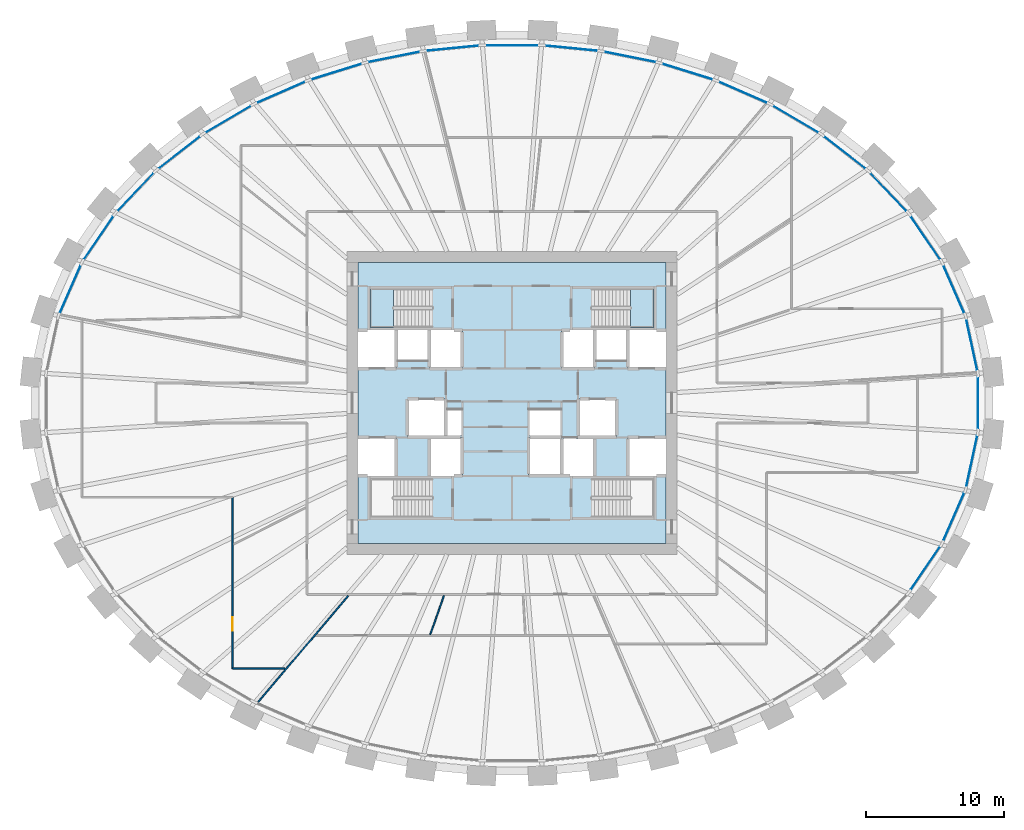
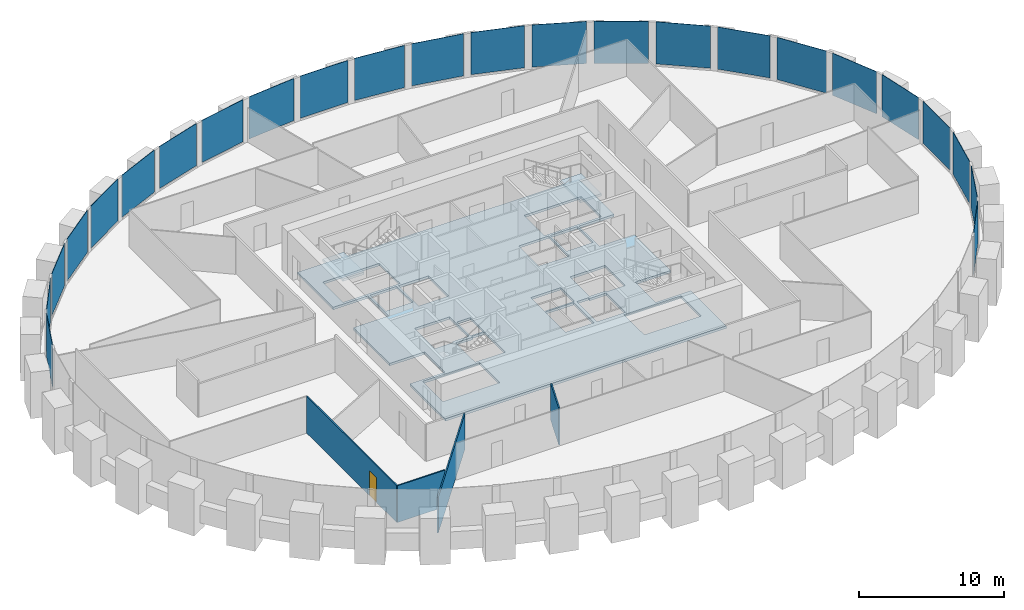
# One storey, part 5 of 11: 24 plates, 4 walls, 3 slabs, 1 door, 1 opening, 3 elements without a shape of their own.
"""IFC4 building model written with IfcOpenShell, lengths in metres."""

import ifcopenshell
import ifcopenshell.guid

model = None  # the IFC model being written
_history = None  # IfcOwnerHistory: only IFC2X3 demands one
_inside = {}  # id of a spatial element -> (the spatial element, [elements in it])
_under = {}  # id of a project, library or spatial element -> (it, [spatial elements below it])
_declared = {}  # id of a project -> (the project, [libraries it declares])
_typed = {}  # id of a type object -> (the type object, [elements of that type])
_made_of = {}  # id of a material, layer set ... -> (it, [elements and type objects made of it])


def new_model(schema):
    """Start an empty IFC model of exactly this schema.

    Asked for "IFC4X3", IfcOpenShell would pick the latest addendum, in which some entities
    have other attributes; the version numbers below select the first issue.
    IFC2X3 requires an IfcOwnerHistory on every rooted entity: one is made here for all.
    """
    global model, _history
    if schema == "IFC4X3":
        model = ifcopenshell.file(schema_version=(4, 3, 0, 0))
    else:
        model = ifcopenshell.file(schema=schema)
    _inside.clear()
    _under.clear()
    _declared.clear()
    _typed.clear()
    _made_of.clear()
    _history = None
    if model.schema == "IFC2X3":
        org = make("IfcOrganization", Name="unknown")
        user = make(
            "IfcPersonAndOrganization",
            ThePerson=make("IfcPerson", FamilyName="unknown"),
            TheOrganization=org,
        )
        app = make(
            "IfcApplication",
            ApplicationDeveloper=org,
            Version="unknown",
            ApplicationFullName="unknown",
            ApplicationIdentifier="unknown",
        )
        _history = make(
            "IfcOwnerHistory",
            OwningUser=user,
            OwningApplication=app,
            ChangeAction="ADDED",
            CreationDate=0,
        )
    return model


def make(cls, **values):
    """One entity of the class cls with the attributes given. An attribute that is None is left unset."""
    return model.create_entity(
        cls, **{name: value for name, value in values.items() if value is not None}
    )


def rooted(cls, **values):
    """An entity with a GlobalId (a new one), such as an element, a storey or a relation."""
    return make(cls, GlobalId=ifcopenshell.guid.new(), OwnerHistory=_history, **values)


def si_unit(unit_type, name, prefix=None):
    """IfcSIUnit, for example si_unit("LENGTHUNIT", "METRE", prefix="MILLI")."""
    return make("IfcSIUnit", UnitType=unit_type, Prefix=prefix, Name=name)


def assignment(units):
    """IfcUnitAssignment: the units of a project."""
    return None if units is None else make("IfcUnitAssignment", Units=units)


def point(xyz):
    """IfcCartesianPoint."""
    return None if xyz is None else make("IfcCartesianPoint", Coordinates=xyz)


def direction(xyz):
    """IfcDirection."""
    return None if xyz is None else make("IfcDirection", DirectionRatios=xyz)


def frame(location, z_axis=None, x_axis=None):
    """IfcAxis2Placement3D, a coordinate frame: its origin and axes. An axis left out is left unset."""
    return make(
        "IfcAxis2Placement3D",
        Location=point(location),
        Axis=direction(z_axis),
        RefDirection=direction(x_axis),
    )


def frame_2d(location, x_axis=None):
    """IfcAxis2Placement2D, a coordinate frame in the plane: its origin and x axis."""
    return make(
        "IfcAxis2Placement2D", Location=point(location), RefDirection=direction(x_axis)
    )


def origin():
    """The frame at (0, 0, 0) with its axes left unset."""
    return frame((0.0, 0.0, 0.0))


def origin_2d():
    """The frame at (0, 0) in the plane with its x axis left unset."""
    return frame_2d((0.0, 0.0))


def place(relative_to, where):
    """IfcLocalPlacement: puts the frame where relative to a parent placement (None: the world)."""
    return make(
        "IfcLocalPlacement", PlacementRelTo=relative_to, RelativePlacement=where
    )


def context(
    kind, dimensions, precision=None, world=None, true_north=None, identifier=None
):
    """IfcGeometricRepresentationContext, for example the 3D "Model" context."""
    return make(
        "IfcGeometricRepresentationContext",
        ContextIdentifier=identifier,
        ContextType=kind,
        CoordinateSpaceDimension=dimensions,
        Precision=precision,
        WorldCoordinateSystem=world,
        TrueNorth=true_north,
    )


def subcontext(parent, identifier, kind, view, scale=None):
    """IfcGeometricRepresentationSubContext, for example "Body" below "Model"."""
    return make(
        "IfcGeometricRepresentationSubContext",
        ContextIdentifier=identifier,
        ContextType=kind,
        ParentContext=parent,
        TargetScale=scale,
        TargetView=view,
    )


def project(units=None, contexts=None):
    """IfcProject with its units and contexts."""
    return rooted(
        "IfcProject",
        Name="project",
        RepresentationContexts=contexts,
        UnitsInContext=assignment(units),
    )


def spatial(cls, under=None, at=None, **own):
    """A site, building, storey or space (cls), placed at a placement, below another one or the project."""
    s = rooted(cls, ObjectPlacement=at, **own)
    if under is not None:
        _under.setdefault(under.id(), (under, []))[1].append(s)
    return s


def polyline(points):
    """IfcPolyline through the points."""
    return make("IfcPolyline", Points=[point(p) for p in points])


def profile(cls, at=None, kind="AREA", **sizes):
    """A parametric profile (cls). Its sizes go by their IFC names, for example OverallWidth=200.0."""
    return make(cls, ProfileType=kind, Position=at, **sizes)


def rectangle(**sizes):
    """IfcRectangleProfileDef."""
    return profile("IfcRectangleProfileDef", **sizes)


def outline(outer, holes=None, kind="AREA"):
    """IfcArbitraryClosedProfileDef: a profile drawn as a closed curve; with holes, ...WithVoids."""
    if holes is None:
        return make("IfcArbitraryClosedProfileDef", ProfileType=kind, OuterCurve=outer)
    return make(
        "IfcArbitraryProfileDefWithVoids",
        ProfileType=kind,
        OuterCurve=outer,
        InnerCurves=holes,
    )


def extrude(swept, where, along, depth):
    """IfcExtrudedAreaSolid: the profile swept, set in the frame where, extruded along a direction by depth."""
    return make(
        "IfcExtrudedAreaSolid",
        SweptArea=swept,
        Position=where,
        ExtrudedDirection=direction(along),
        Depth=depth,
    )


def shape(context_of_items, identifier, shape_type, items):
    """IfcShapeRepresentation: the items that make up one representation, for example the "Body"."""
    return make(
        "IfcShapeRepresentation",
        ContextOfItems=context_of_items,
        RepresentationIdentifier=identifier,
        RepresentationType=shape_type,
        Items=items,
    )


def source(mapping_origin, context_of_items, identifier, shape_type, items):
    """IfcRepresentationMap: a shape defined once, which mapped items show again and again."""
    return make(
        "IfcRepresentationMap",
        MappingOrigin=mapping_origin,
        MappedRepresentation=shape(context_of_items, identifier, shape_type, items),
    )


def transform(
    local_origin,
    x_axis=None,
    y_axis=None,
    z_axis=None,
    scale=None,
    scale2=None,
    scale3=None,
    uniform=True,
):
    """IfcCartesianTransformationOperator3D, or its non-uniform kind. x_axis, y_axis, z_axis: its Axis1, 2, 3."""
    if uniform:
        return make(
            "IfcCartesianTransformationOperator3D",
            Axis1=direction(x_axis),
            Axis2=direction(y_axis),
            LocalOrigin=point(local_origin),
            Scale=scale,
            Axis3=direction(z_axis),
        )
    return make(
        "IfcCartesianTransformationOperator3DnonUniform",
        Axis1=direction(x_axis),
        Axis2=direction(y_axis),
        LocalOrigin=point(local_origin),
        Scale=scale,
        Axis3=direction(z_axis),
        Scale2=scale2,
        Scale3=scale3,
    )


def mapped(mapping_source, mapping_target):
    """IfcMappedItem: shows the shape of a source again, moved by a transform."""
    return make(
        "IfcMappedItem", MappingSource=mapping_source, MappingTarget=mapping_target
    )


def material(Name=None, Category=None):
    """IfcMaterial."""
    return make("IfcMaterial", Name=Name, Category=Category)


def layer(
    of_material, thickness, ventilated=None, Name=None, Category=None, Priority=None
):
    """IfcMaterialLayer: one layer of a wall or slab, of a material (None: an air gap)."""
    return make(
        "IfcMaterialLayer",
        Material=of_material,
        LayerThickness=thickness,
        IsVentilated=ventilated,
        Name=Name,
        Category=Category,
        Priority=Priority,
    )


def layer_set(layers, Name=None):
    """IfcMaterialLayerSet."""
    return make("IfcMaterialLayerSet", MaterialLayers=layers, LayerSetName=Name)


def made_of(thing, what):
    """Note that an element or type object is made of a material, layer set ...; save() writes the relation."""
    if what is not None:
        _made_of.setdefault(what.id(), (what, []))[1].append(thing)
    return thing


def type_object(cls, material=None, **own):
    """A type object (cls), such as IfcWallType, which elements share."""
    return made_of(rooted(cls, **own), material)


def element(
    cls,
    number,
    at=None,
    inside=None,
    cuts=None,
    type_object=None,
    material=None,
    context=None,
    identifier="Body",
    shape_type=None,
    held_by="IfcProductDefinitionShape",
    body=None,
    shapes=None,
    **own,
):
    """One element of the class cls, such as IfcWall. Its Tag is "e" and its number.

    at: its placement. inside: the storey or other place that contains it. cuts: it is an
    opening in that element (IfcRelVoidsElement). A single representation is given by context,
    identifier, shape_type and body (its items); several are given by shapes. held_by: the class
    of the entity that holds the representations. save() writes the other relations.
    """
    e = rooted(cls, Tag="e%d" % number, ObjectPlacement=at, **own)
    if body is not None:
        shapes = [shape(context, identifier, shape_type, body)]
    if shapes is not None:
        e.Representation = make(held_by, Representations=shapes)
    if inside is not None:
        _inside.setdefault(inside.id(), (inside, []))[1].append(e)
    if cuts is not None:
        rooted(
            "IfcRelVoidsElement", RelatingBuildingElement=cuts, RelatedOpeningElement=e
        )
    if type_object is not None:
        _typed.setdefault(type_object.id(), (type_object, []))[1].append(e)
    return made_of(e, material)


def fill(opening, filler):
    """IfcRelFillsElement: the door or window that sits in an opening."""
    return rooted(
        "IfcRelFillsElement",
        RelatingOpeningElement=opening,
        RelatedBuildingElement=filler,
    )


def aggregate(whole, parts):
    """IfcRelAggregates: a whole, such as a stair, and the parts it consists of."""
    return rooted("IfcRelAggregates", RelatingObject=whole, RelatedObjects=parts)


def save(model, path):
    """Write the relations noted so far, then the file.

    IfcRelAggregates (storeys below a building ...), IfcRelContainedInSpatialStructure (elements
    in a storey), IfcRelDefinesByType, IfcRelAssociatesMaterial and IfcRelDeclares: one each for
    every whole, place, type object, material and project.
    """
    for whole, parts in _under.values():
        aggregate(whole, parts)
    for where, things in _inside.values():
        rooted(
            "IfcRelContainedInSpatialStructure",
            RelatedElements=things,
            RelatingStructure=where,
        )
    for kind, things in _typed.values():
        rooted("IfcRelDefinesByType", RelatedObjects=things, RelatingType=kind)
    for what, things in _made_of.values():
        rooted("IfcRelAssociatesMaterial", RelatedObjects=things, RelatingMaterial=what)
    for by, libraries in _declared.values():
        rooted("IfcRelDeclares", RelatingContext=by, RelatedDefinitions=libraries)
    model.write(path)


model = new_model("IFC4")

# Units and contexts
model_context = context("Model", 3, precision=1e-05, world=origin(), true_north=direction((0.0, 1.0)))
body_context = subcontext(model_context, "Body", "Model", "MODEL_VIEW")
ifc_project = project(units=[si_unit("LENGTHUNIT", "METRE"), si_unit("AREAUNIT", "SQUARE_METRE"), si_unit("VOLUMEUNIT", "CUBIC_METRE"), si_unit("PLANEANGLEUNIT", "RADIAN"), si_unit("MASSUNIT", "GRAM", prefix="KILO")], contexts=[model_context])

# Site, building, storey
site_placement = place(None, origin())
site = spatial("IfcSite", under=ifc_project, at=site_placement, CompositionType="ELEMENT")
building_placement = place(site_placement, origin())
building = spatial("IfcBuilding", under=site, at=building_placement, Name="Embergate Tower", CompositionType="ELEMENT")
storey_placement = place(building_placement, frame((0.0, 0.0, 226.800048828125)))
storey = spatial("IfcBuildingStorey", under=building, at=storey_placement, Name="L52", CompositionType="ELEMENT", Elevation=226.800048828125)

# Curtain wall, plates
ifc_material_1 = material(Name="Aluminium and glass", Category="aluminium")
curtain_wall_type = type_object("IfcCurtainWallType", Name="Recessed office glazing", PredefinedType="NOTDEFINED", material=ifc_material_1)
curtain_wall_placement = place(storey_placement, origin())
curtain_wall = element("IfcCurtainWall", 1, at=curtain_wall_placement, inside=storey, type_object=curtain_wall_type, Name="Recessed office glazing ring", ObjectType="RECESSED OFFICE GLAZING", PredefinedType="USERDEFINED")
ifc_material_2 = material(Name="Triple glazing, low-emissivity coating", Category="glass")
ifc_layer_1 = layer(ifc_material_2, 0.035888671875)
ifc_layer_set_1 = layer_set([ifc_layer_1], Name="Triple glazing, low-emissivity coating")
plate_type = type_object("IfcPlateType", Name="Office glazing unit", PredefinedType="CURTAIN_PANEL", material=ifc_layer_set_1)
shared_shape_1 = source(origin(), body_context, "Body", "SweptSolid", [
    extrude(rectangle(XDim=3.74951171875, YDim=0.035888671875, at=origin_2d()), origin(), (0.0, 0.0, 1.0), 3.550048828125),
])
plate_1_placement = place(storey_placement, frame((33.402587890625, 4.220458984375, 0.14990234375), z_axis=(0.0, 0.0, 1.0), x_axis=(-0.210396684915, 0.977616097953, 0.0)))
plate_1 = element("IfcPlate", 2, at=plate_1_placement, type_object=plate_type, Name="CW panel 1.1", PredefinedType="CURTAIN_PANEL", context=body_context, shape_type="MappedRepresentation", body=[
    mapped(shared_shape_1, transform((0.0, 0.0, 0.0))),
])
plate_2_placement = place(storey_placement, frame((33.402587890625, -4.220458984375, 0.14990234375), z_axis=(0.0, 0.0, 1.0), x_axis=(0.210396684915, 0.977616097953, 0.0)))
plate_2 = element("IfcPlate", 3, at=plate_2_placement, type_object=plate_type, Name="CW panel 43.1", PredefinedType="CURTAIN_PANEL", context=body_context, shape_type="MappedRepresentation", body=[
    mapped(shared_shape_1, transform((0.0, 0.0, 0.0))),
])
shared_shape_2 = source(origin(), body_context, "Body", "SweptSolid", [
    extrude(rectangle(XDim=3.75634765625, YDim=0.035888671875, at=origin_2d()), origin(), (0.0, 0.0, 1.0), 3.550048828125),
])
plate_3_placement = place(storey_placement, frame((32.094482421875, 8.265625, 0.14990234375), z_axis=(0.0, 0.0, 1.0), x_axis=(-0.401648904437, 0.915793730905, 0.0)))
plate_3 = element("IfcPlate", 4, at=plate_3_placement, type_object=plate_type, Name="CW panel 2.1", PredefinedType="CURTAIN_PANEL", context=body_context, shape_type="MappedRepresentation", body=[
    mapped(shared_shape_2, transform((0.0, 0.0, 0.0))),
])
plate_4_placement = place(storey_placement, frame((-32.094482421875, 8.265625, 0.14990234375), z_axis=(0.0, 0.0, 1.0), x_axis=(-0.401648904437, -0.915793730905, 0.0)))
plate_4 = element("IfcPlate", 5, at=plate_4_placement, type_object=plate_type, Name="CW panel 20.1", PredefinedType="CURTAIN_PANEL", context=body_context, shape_type="MappedRepresentation", body=[
    mapped(shared_shape_2, transform((0.0, 0.0, 0.0))),
])
plate_5_placement = place(storey_placement, frame((32.094482421875, -8.265625, 0.14990234375), z_axis=(0.0, 0.0, 1.0), x_axis=(0.401648904437, 0.915793730905, 0.0)))
plate_5 = element("IfcPlate", 6, at=plate_5_placement, type_object=plate_type, Name="CW panel 42.1", PredefinedType="CURTAIN_PANEL", context=body_context, shape_type="MappedRepresentation", body=[
    mapped(shared_shape_2, transform((0.0, 0.0, 0.0))),
])
shared_shape_3 = source(origin(), body_context, "Body", "SweptSolid", [
    extrude(rectangle(XDim=3.76513671875, YDim=0.035888671875, at=origin_2d()), origin(), (0.0, 0.0, 1.0), 3.550048828125),
])
plate_6_placement = place(storey_placement, frame((30.031005859375, 11.995361328125, 0.14990234375), z_axis=(0.0, 0.0, 1.0), x_axis=(-0.562338855469, 0.826906894172, 0.0)))
plate_6 = element("IfcPlate", 7, at=plate_6_placement, type_object=plate_type, Name="CW panel 3.1", PredefinedType="CURTAIN_PANEL", context=body_context, shape_type="MappedRepresentation", body=[
    mapped(shared_shape_3, transform((0.0, 0.0, 0.0))),
])
plate_7_placement = place(storey_placement, frame((-30.031005859375, 11.995361328125, 0.14990234375), z_axis=(0.0, 0.0, 1.0), x_axis=(-0.562338855469, -0.826906894172, 0.0)))
plate_7 = element("IfcPlate", 8, at=plate_7_placement, type_object=plate_type, Name="CW panel 19.1", PredefinedType="CURTAIN_PANEL", context=body_context, shape_type="MappedRepresentation", body=[
    mapped(shared_shape_3, transform((0.0, 0.0, 0.0))),
])
plate_8_placement = place(storey_placement, frame((30.031005859375, -11.995361328125, 0.14990234375), z_axis=(0.0, 0.0, 1.0), x_axis=(0.562338855469, 0.826906894172, 0.0)))
plate_8 = element("IfcPlate", 9, at=plate_8_placement, type_object=plate_type, Name="CW panel 41.1", PredefinedType="CURTAIN_PANEL", context=body_context, shape_type="MappedRepresentation", body=[
    mapped(shared_shape_3, transform((0.0, 0.0, 0.0))),
])
shared_shape_4 = source(origin(), body_context, "Body", "SweptSolid", [
    extrude(rectangle(XDim=3.773681640625, YDim=0.035888671875, at=origin_2d()), origin(), (0.0, 0.0, 1.0), 3.550048828125),
])
plate_9_placement = place(storey_placement, frame((27.344482421875, 15.32080078125, 0.14990234375), z_axis=(0.0, 0.0, 1.0), x_axis=(-0.690129995266, 0.723685421737, 0.0)))
plate_9 = element("IfcPlate", 10, at=plate_9_placement, type_object=plate_type, Name="CW panel 4.1", PredefinedType="CURTAIN_PANEL", context=body_context, shape_type="MappedRepresentation", body=[
    mapped(shared_shape_4, transform((0.0, 0.0, 0.0))),
])
plate_10_placement = place(storey_placement, frame((-27.344482421875, 15.32080078125, 0.14990234375), z_axis=(0.0, 0.0, 1.0), x_axis=(-0.690129995266, -0.723685421737, 0.0)))
plate_10 = element("IfcPlate", 11, at=plate_10_placement, type_object=plate_type, Name="CW panel 18.1", PredefinedType="CURTAIN_PANEL", context=body_context, shape_type="MappedRepresentation", body=[
    mapped(shared_shape_4, transform((0.0, 0.0, 0.0))),
])
shared_shape_5 = source(origin(), body_context, "Body", "SweptSolid", [
    extrude(rectangle(XDim=3.781005859375, YDim=0.035888671875, at=origin_2d()), origin(), (0.0, 0.0, 1.0), 3.550048828125),
])
plate_11_placement = place(storey_placement, frame((24.16748046875, 18.197509765625, 0.14990234375), z_axis=(0.0, 0.0, 1.0), x_axis=(-0.788316897722, 0.615269427784, 0.0)))
plate_11 = element("IfcPlate", 12, at=plate_11_placement, type_object=plate_type, Name="CW panel 5.1", PredefinedType="CURTAIN_PANEL", context=body_context, shape_type="MappedRepresentation", body=[
    mapped(shared_shape_5, transform((0.0, 0.0, 0.0))),
])
plate_12_placement = place(storey_placement, frame((-24.16748046875, 18.197509765625, 0.14990234375), z_axis=(0.0, 0.0, 1.0), x_axis=(-0.788316897722, -0.615269427784, 0.0)))
plate_12 = element("IfcPlate", 13, at=plate_12_placement, type_object=plate_type, Name="CW panel 17.1", PredefinedType="CURTAIN_PANEL", context=body_context, shape_type="MappedRepresentation", body=[
    mapped(shared_shape_5, transform((0.0, 0.0, 0.0))),
])
shared_shape_6 = source(origin(), body_context, "Body", "SweptSolid", [
    extrude(rectangle(XDim=3.787109375, YDim=0.035888671875, at=origin_2d()), origin(), (0.0, 0.0, 1.0), 3.550048828125),
])
plate_13_placement = place(storey_placement, frame((20.61572265625, 20.6123046875, 0.14990234375), z_axis=(0.0, 0.0, 1.0), x_axis=(-0.862050514108, 0.506822366443, 0.0)))
plate_13 = element("IfcPlate", 14, at=plate_13_placement, type_object=plate_type, Name="CW panel 6.1", PredefinedType="CURTAIN_PANEL", context=body_context, shape_type="MappedRepresentation", body=[
    mapped(shared_shape_6, transform((0.0, 0.0, 0.0))),
])
plate_14_placement = place(storey_placement, frame((-20.61572265625, 20.6123046875, 0.14990234375), z_axis=(0.0, 0.0, 1.0), x_axis=(-0.862050514108, -0.506822366443, 0.0)))
plate_14 = element("IfcPlate", 15, at=plate_14_placement, type_object=plate_type, Name="CW panel 16.1", PredefinedType="CURTAIN_PANEL", context=body_context, shape_type="MappedRepresentation", body=[
    mapped(shared_shape_6, transform((0.0, 0.0, 0.0))),
])
shared_shape_7 = source(origin(), body_context, "Body", "SweptSolid", [
    extrude(rectangle(XDim=3.79150390625, YDim=0.035888671875, at=origin_2d()), origin(), (0.0, 0.0, 1.0), 3.550048828125),
])
plate_15_placement = place(storey_placement, frame((16.7841796875, 22.5673828125, 0.14990234375), z_axis=(0.0, 0.0, 1.0), x_axis=(-0.91623411399, 0.400643293168, 0.0)))
plate_15 = element("IfcPlate", 16, at=plate_15_placement, type_object=plate_type, Name="CW panel 7.1", PredefinedType="CURTAIN_PANEL", context=body_context, shape_type="MappedRepresentation", body=[
    mapped(shared_shape_7, transform((0.0, 0.0, 0.0))),
])
plate_16_placement = place(storey_placement, frame((-16.7841796875, 22.5673828125, 0.14990234375), z_axis=(0.0, 0.0, 1.0), x_axis=(-0.91623411399, -0.400643293168, 0.0)))
plate_16 = element("IfcPlate", 17, at=plate_16_placement, type_object=plate_type, Name="CW panel 15.1", PredefinedType="CURTAIN_PANEL", context=body_context, shape_type="MappedRepresentation", body=[
    mapped(shared_shape_7, transform((0.0, 0.0, 0.0))),
])
shared_shape_8 = source(origin(), body_context, "Body", "SweptSolid", [
    extrude(rectangle(XDim=3.794921875, YDim=0.035888671875, at=origin_2d()), origin(), (0.0, 0.0, 1.0), 3.550048828125),
])
plate_17_placement = place(storey_placement, frame((12.749267578125, 24.072509765625, 0.14990234375), z_axis=(0.0, 0.0, 1.0), x_axis=(-0.954770660302, 0.297343212847, 0.0)))
plate_17 = element("IfcPlate", 18, at=plate_17_placement, type_object=plate_type, Name="CW panel 8.1", PredefinedType="CURTAIN_PANEL", context=body_context, shape_type="MappedRepresentation", body=[
    mapped(shared_shape_8, transform((0.0, 0.0, 0.0))),
])
plate_18_placement = place(storey_placement, frame((-12.749267578125, 24.072509765625, 0.14990234375), z_axis=(0.0, 0.0, 1.0), x_axis=(-0.954770660302, -0.297343212847, 0.0)))
plate_18 = element("IfcPlate", 19, at=plate_18_placement, type_object=plate_type, Name="CW panel 14.1", PredefinedType="CURTAIN_PANEL", context=body_context, shape_type="MappedRepresentation", body=[
    mapped(shared_shape_8, transform((0.0, 0.0, 0.0))),
])
shared_shape_9 = source(origin(), body_context, "Body", "SweptSolid", [
    extrude(rectangle(XDim=3.796875, YDim=0.035888671875, at=origin_2d()), origin(), (0.0, 0.0, 1.0), 3.550048828125),
])
plate_19_placement = place(storey_placement, frame((8.572998046875, 25.138427734375, 0.14990234375), z_axis=(0.0, 0.0, 1.0), x_axis=(-0.980475221003, 0.196642673395, 0.0)))
plate_19 = element("IfcPlate", 20, at=plate_19_placement, type_object=plate_type, Name="CW panel 9.1", PredefinedType="CURTAIN_PANEL", context=body_context, shape_type="MappedRepresentation", body=[
    mapped(shared_shape_9, transform((0.0, 0.0, 0.0))),
])
plate_20_placement = place(storey_placement, frame((-8.572998046875, 25.138427734375, 0.14990234375), z_axis=(0.0, 0.0, 1.0), x_axis=(-0.980475221003, -0.196642673395, 0.0)))
plate_20 = element("IfcPlate", 21, at=plate_20_placement, type_object=plate_type, Name="CW panel 13.1", PredefinedType="CURTAIN_PANEL", context=body_context, shape_type="MappedRepresentation", body=[
    mapped(shared_shape_9, transform((0.0, 0.0, 0.0))),
])
shared_shape_10 = source(origin(), body_context, "Body", "SweptSolid", [
    extrude(rectangle(XDim=3.798095703125, YDim=0.035888671875, at=origin_2d()), origin(), (0.0, 0.0, 1.0), 3.550048828125),
])
plate_21_placement = place(storey_placement, frame((4.30810546875, 25.774169921875, 0.14990234375), z_axis=(0.0, 0.0, 1.0), x_axis=(-0.995203014042, 0.097831287645, 0.0)))
plate_21 = element("IfcPlate", 22, at=plate_21_placement, type_object=plate_type, Name="CW panel 10.1", PredefinedType="CURTAIN_PANEL", context=body_context, shape_type="MappedRepresentation", body=[
    mapped(shared_shape_10, transform((0.0, 0.0, 0.0))),
])
plate_22_placement = place(storey_placement, frame((-4.30810546875, 25.774169921875, 0.14990234375), z_axis=(0.0, 0.0, 1.0), x_axis=(-0.995203014042, -0.097831287645, 0.0)))
plate_22 = element("IfcPlate", 23, at=plate_22_placement, type_object=plate_type, Name="CW panel 12.1", PredefinedType="CURTAIN_PANEL", context=body_context, shape_type="MappedRepresentation", body=[
    mapped(shared_shape_10, transform((0.0, 0.0, 0.0))),
])
shared_shape_11 = source(origin(), body_context, "Body", "SweptSolid", [
    extrude(rectangle(XDim=3.798583984375, YDim=0.035888671875, at=origin_2d()), origin(), (0.0, 0.0, 1.0), 3.550048828125),
])
plate_23_placement = place(storey_placement, frame((0.0, 25.9853515625, 0.14990234375), z_axis=(0.0, 0.0, 1.0), x_axis=(-1.0, 0.0, 0.0)))
plate_23 = element("IfcPlate", 24, at=plate_23_placement, type_object=plate_type, Name="CW panel 11.1", PredefinedType="CURTAIN_PANEL", context=body_context, shape_type="MappedRepresentation", body=[
    mapped(shared_shape_11, transform((0.0, 0.0, 0.0))),
])
shared_shape_12 = source(origin(), body_context, "Body", "SweptSolid", [
    extrude(rectangle(XDim=3.746826171875, YDim=0.035888671875, at=origin_2d()), origin(), (0.0, 0.0, 1.0), 3.550048828125),
])
plate_24_placement = place(storey_placement, frame((33.851806640625, 0.0, 0.14990234375), z_axis=(0.0, 0.0, 1.0), x_axis=(0.0, 1.0, 0.0)))
plate_24 = element("IfcPlate", 25, at=plate_24_placement, type_object=plate_type, Name="CW panel 44.1", PredefinedType="CURTAIN_PANEL", context=body_context, shape_type="MappedRepresentation", body=[
    mapped(shared_shape_12, transform((0.0, 0.0, 0.0))),
])
aggregate(curtain_wall, [plate_1, plate_3, plate_6, plate_9, plate_11, plate_13, plate_15, plate_17, plate_19, plate_21, plate_23, plate_22, plate_20, plate_18, plate_16, plate_14, plate_12, plate_10, plate_7, plate_4, plate_8, plate_5, plate_2, plate_24])

# Stair, slab
ifc_material_3 = material(Name="Exit stair")
stair_type = type_object("IfcStairType", Name="Exit stair", PredefinedType="HALF_TURN_STAIR", material=ifc_material_3)
stair_1_placement = place(storey_placement, origin())
stair_1 = element("IfcStair", 26, at=stair_1_placement, inside=storey, type_object=stair_type, Name="L52 Exit stair 1", PredefinedType="HALF_TURN_STAIR")
ifc_material_4 = material(Name="Concrete C40", Category="concrete")
ifc_layer_2 = layer(ifc_material_4, 0.199951171875)
ifc_layer_set_2 = layer_set([ifc_layer_2], Name="Concrete C40")
slab_type_1 = type_object("IfcSlabType", Name="Stair landing reinforced concrete", PredefinedType="LANDING", material=ifc_layer_set_2)
shared_shape_13 = source(origin(), body_context, "Body", "SweptSolid", [
    extrude(outline(polyline([(0.0, 0.0), (1.68994140625, 0.0), (1.68994140625, 2.800048828125), (0.0, 2.800048828125), (0.0, 0.0)])), origin(), (0.0, 0.0, 1.0), 0.199951171875),
])
slab_1_placement = place(storey_placement, frame((-10.300048828125, 5.5, 1.75)))
slab_1 = element("IfcSlab", 27, at=slab_1_placement, type_object=slab_type_1, Name="ST1 landing 1", PredefinedType="LANDING", context=body_context, shape_type="MappedRepresentation", body=[
    mapped(shared_shape_13, transform((0.0, 0.0, 0.0))),
])
aggregate(stair_1, [slab_1])

stair_2_placement = place(storey_placement, origin())
stair_2 = element("IfcStair", 28, at=stair_2_placement, inside=storey, type_object=stair_type, Name="L52 Exit stair 2", PredefinedType="HALF_TURN_STAIR")
slab_2_placement = place(storey_placement, frame((8.610107421875, 5.5, 1.75)))
slab_2 = element("IfcSlab", 29, at=slab_2_placement, type_object=slab_type_1, Name="ST2 landing 1", PredefinedType="LANDING", context=body_context, shape_type="MappedRepresentation", body=[
    mapped(shared_shape_13, transform((0.0, 0.0, 0.0))),
])
aggregate(stair_2, [slab_2])

# Slab
ifc_layer_3 = layer(ifc_material_4, 0.199951171875)
ifc_layer_set_3 = layer_set([ifc_layer_3], Name="Concrete C40")
slab_type_2 = type_object("IfcSlabType", Name="Core floor slab 200 reinforced concrete", PredefinedType="FLOOR", material=ifc_layer_set_3)
shared_shape_14 = source(origin(), body_context, "Body", "SweptSolid", [
    extrude(outline(polyline([(0.0, 0.0), (22.39990234375, 0.0), (22.39990234375, 4.89990234375), (19.599853515625, 4.89990234375), (19.599853515625, 7.699951171875), (22.39990234375, 7.699951171875), (22.39990234375, 12.699951171875), (19.599853515625, 12.699951171875), (19.599853515625, 15.5), (22.39990234375, 15.5), (22.39990234375, 20.39990234375), (0.0, 20.39990234375), (0.0, 15.5), (2.800048828125, 15.5), (2.800048828125, 12.699951171875), (0.0, 12.699951171875), (0.0, 7.699951171875), (2.800048828125, 7.699951171875), (2.800048828125, 4.89990234375), (0.0, 4.89990234375), (0.0, 0.0)]), holes=[polyline([(0.89990234375, 1.89990234375), (0.89990234375, 4.699951171875), (5.43994140625, 4.699951171875), (5.43994140625, 1.89990234375), (0.89990234375, 1.89990234375)]), polyline([(16.9599609375, 1.89990234375), (16.9599609375, 4.699951171875), (21.5, 4.699951171875), (21.5, 1.89990234375), (16.9599609375, 1.89990234375)]), polyline([(5.199951171875, 4.89990234375), (5.199951171875, 7.574951171875), (6.52490234375, 7.574951171875), (6.52490234375, 7.699951171875), (7.599853515625, 7.699951171875), (7.599853515625, 4.89990234375), (5.199951171875, 4.89990234375)]), polyline([(12.39990234375, 4.89990234375), (12.39990234375, 7.699951171875), (14.675048828125, 7.699951171875), (14.675048828125, 4.89990234375), (12.39990234375, 4.89990234375)]), polyline([(14.925048828125, 4.89990234375), (14.925048828125, 7.699951171875), (15.875, 7.699951171875), (15.875, 7.574951171875), (17.199951171875, 7.574951171875), (17.199951171875, 4.89990234375), (14.925048828125, 4.89990234375)]), polyline([(3.599853515625, 7.699951171875), (3.599853515625, 10.5), (6.39990234375, 10.5), (6.39990234375, 7.824951171875), (5.074951171875, 7.824951171875), (5.074951171875, 7.699951171875), (3.599853515625, 7.699951171875)]), polyline([(17.324951171875, 7.699951171875), (17.324951171875, 7.824951171875), (16.0, 7.824951171875), (16.0, 10.5), (18.800048828125, 10.5), (18.800048828125, 7.699951171875), (17.324951171875, 7.699951171875)]), polyline([(6.52490234375, 7.824951171875), (6.52490234375, 9.699951171875), (7.599853515625, 9.699951171875), (7.599853515625, 7.824951171875), (6.52490234375, 7.824951171875)]), polyline([(12.39990234375, 7.824951171875), (12.39990234375, 9.699951171875), (14.800048828125, 9.699951171875), (14.800048828125, 7.824951171875), (14.675048828125, 7.824951171875), (12.39990234375, 7.824951171875)]), polyline([(5.199951171875, 12.699951171875), (5.199951171875, 15.5), (7.599853515625, 15.5), (7.599853515625, 12.699951171875), (5.199951171875, 12.699951171875)]), polyline([(14.800048828125, 12.699951171875), (14.800048828125, 15.5), (17.199951171875, 15.5), (17.199951171875, 12.699951171875), (14.800048828125, 12.699951171875)]), polyline([(2.925048828125, 13.300048828125), (2.925048828125, 15.5), (5.074951171875, 15.5), (5.074951171875, 13.300048828125), (2.925048828125, 13.300048828125)]), polyline([(17.324951171875, 13.300048828125), (17.324951171875, 15.5), (19.474853515625, 15.5), (19.474853515625, 13.300048828125), (17.324951171875, 13.300048828125)]), polyline([(0.89990234375, 15.699951171875), (0.89990234375, 18.5), (5.43994140625, 18.5), (5.43994140625, 15.699951171875), (0.89990234375, 15.699951171875)]), polyline([(16.9599609375, 15.699951171875), (16.9599609375, 18.5), (21.5, 18.5), (21.5, 15.699951171875), (16.9599609375, 15.699951171875)])]), origin(), (0.0, 0.0, 1.0), 0.199951171875),
])
slab_3_placement = place(storey_placement, frame((-11.199951171875, -10.199951171875, -0.199951171875)))
element("IfcSlab", 30, at=slab_3_placement, inside=storey, type_object=slab_type_2, Name="Core floor slab", PredefinedType="FLOOR", context=body_context, shape_type="MappedRepresentation", body=[
    mapped(shared_shape_14, transform((0.0, 0.0, 0.0))),
])

# Walls
ifc_material_5 = material(Name="Partition dry-lined 100 wet")
ifc_layer_4 = layer(ifc_material_5, 0.10009765625)
ifc_layer_set_4 = layer_set([ifc_layer_4], Name="Partition dry-lined 100 wet")
wall_type_1 = type_object("IfcWallType", Name="Partition dry-lined 100 wet", PredefinedType="PLUMBINGWALL", material=ifc_layer_set_4)
shared_shape_15 = source(origin(), body_context, "Body", "SweptSolid", [
    extrude(rectangle(XDim=10.236083984375, YDim=0.10009765625, at=frame_2d((5.1181640625, 0.0))), origin(), (0.0, 0.0, 1.0), 3.0),
])
wall_1_placement = place(storey_placement, frame((-18.51806640625, -21.81005859375, 0.0), z_axis=(0.0, 0.0, 1.0), x_axis=(0.647221146286, 0.762302294238, 0.0)))
element("IfcWall", 31, at=wall_1_placement, inside=storey, type_object=wall_type_1, Name="IP-1 wall", PredefinedType="PLUMBINGWALL", context=body_context, shape_type="MappedRepresentation", body=[
    mapped(shared_shape_15, transform((0.0, 0.0, 0.0))),
])
shared_shape_16 = source(origin(), body_context, "Body", "SweptSolid", [
    extrude(rectangle(XDim=3.01318359375, YDim=0.10009765625, at=frame_2d((1.506591796875, 0.0))), origin(), (0.0, 0.0, 1.0), 3.099853515625),
])
wall_2_placement = place(storey_placement, frame((-4.94091796875, -13.991943359375, 0.0), z_axis=(0.0, 0.0, 1.0), x_axis=(-0.333239649272, -0.942842158663, 0.0)))
element("IfcWall", 32, at=wall_2_placement, inside=storey, type_object=wall_type_1, Name="IP-1 wall", PredefinedType="PLUMBINGWALL", context=body_context, shape_type="MappedRepresentation", body=[
    mapped(shared_shape_16, transform((0.0, 0.0, 0.0))),
])

# Wall, opening, door
ifc_material_6 = material(Name="Partition dry-lined 100")
ifc_layer_5 = layer(ifc_material_6, 0.10009765625)
ifc_layer_set_5 = layer_set([ifc_layer_5], Name="Partition dry-lined 100")
wall_type_2 = type_object("IfcWallType", Name="Partition dry-lined 100", PredefinedType="PARTITIONING", material=ifc_layer_set_5)
shared_shape_17 = source(origin(), body_context, "Body", "SweptSolid", [
    extrude(rectangle(XDim=12.449951171875, YDim=0.10009765625, at=frame_2d((6.22509765625, 0.0))), origin(), (0.0, 0.0, 1.0), 3.099853515625),
])
wall_3_placement = place(storey_placement, frame((-20.300048828125, -19.300048828125, 0.0), z_axis=(0.0, 0.0, 1.0), x_axis=(0.0, 1.0, 0.0)))
wall_3 = element("IfcWall", 33, at=wall_3_placement, inside=storey, type_object=wall_type_2, Name="IP-1 wall", PredefinedType="PARTITIONING", context=body_context, shape_type="MappedRepresentation", body=[
    mapped(shared_shape_17, transform((0.0, 0.0, 0.0))),
])
shared_shape_18 = source(origin(), body_context, "Body", "SweptSolid", [
    extrude(rectangle(XDim=1.0, YDim=2.10009765625, at=frame_2d((0.5, 1.050048828125))), frame((0.0, 0.06005859375, 0.0), z_axis=(0.0, -1.0, 0.0), x_axis=(1.0, 0.0, 0.0)), (0.0, 0.0, 1.0), 0.1201171875),
])
opening_placement = place(wall_3_placement, frame((2.742919921875, 0.0, 0.0)))
opening = element("IfcOpeningElement", 34, at=opening_placement, cuts=wall_3, Name="Opening ID-2", PredefinedType="OPENING", context=body_context, shape_type="MappedRepresentation", body=[
    mapped(shared_shape_18, transform((0.0, 0.0, 0.0))),
])
ifc_material_7 = material(Name="Interior door 1000")
door_type = type_object("IfcDoorType", Name="Interior door 1000", OperationType="SINGLE_SWING_LEFT", PredefinedType="DOOR", material=ifc_material_7)
shared_shape_19 = source(origin(), body_context, "Body", "SweptSolid", [
    extrude(rectangle(XDim=1.0, YDim=2.10009765625, at=frame_2d((0.5, 1.050048828125))), frame((0.0, 0.02490234375, 0.0), z_axis=(0.0, -1.0, 0.0), x_axis=(1.0, 0.0, 0.0)), (0.0, 0.0, 1.0), 0.050048828125),
])
door_placement = place(opening_placement, origin())
door = element("IfcDoor", 35, at=door_placement, inside=storey, type_object=door_type, Name="ID-2 door", OperationType="SINGLE_SWING_LEFT", OverallHeight=2.10009765625, OverallWidth=1.0, PredefinedType="DOOR", context=body_context, shape_type="MappedRepresentation", body=[
    mapped(shared_shape_19, transform((0.0, 0.0, 0.0))),
])
fill(opening, door)

# Wall
shared_shape_20 = source(origin(), body_context, "Body", "SweptSolid", [
    extrude(rectangle(XDim=3.804931640625, YDim=0.10009765625, at=frame_2d((1.90234375, 0.0))), origin(), (0.0, 0.0, 1.0), 3.099853515625),
])
wall_4_placement = place(storey_placement, frame((-20.300048828125, -19.300048828125, 0.0), z_axis=(0.0, 0.0, 1.0), x_axis=(1.0, 0.0, 0.0)))
element("IfcWall", 36, at=wall_4_placement, inside=storey, type_object=wall_type_2, Name="IP-1 wall", PredefinedType="PARTITIONING", context=body_context, shape_type="MappedRepresentation", body=[
    mapped(shared_shape_20, transform((0.0, 0.0, 0.0))),
])

save(model, "model.ifc")
